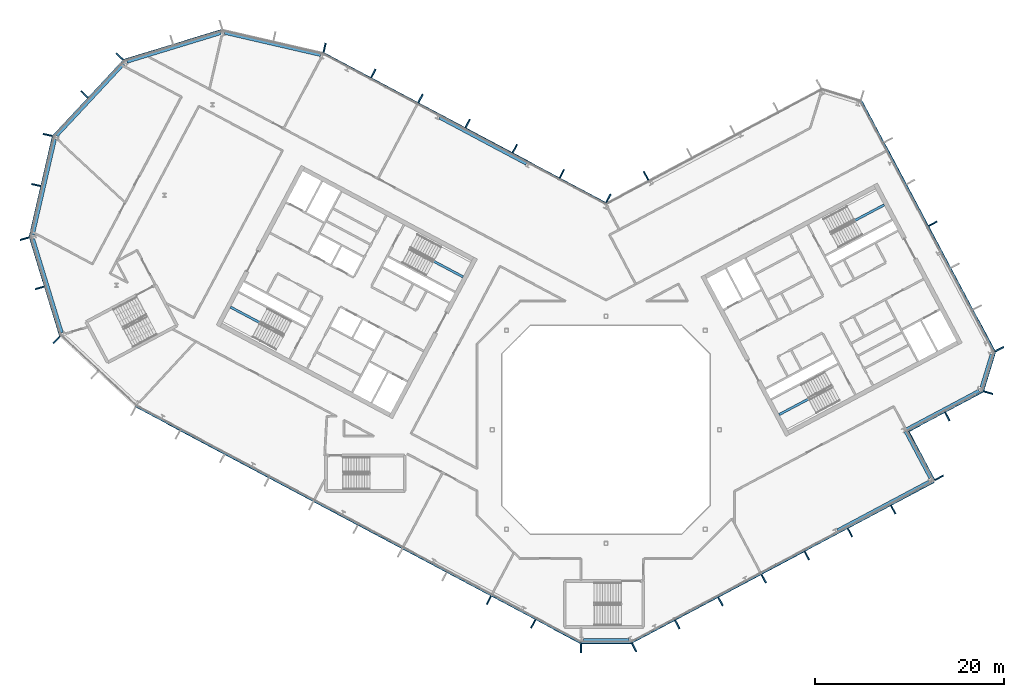
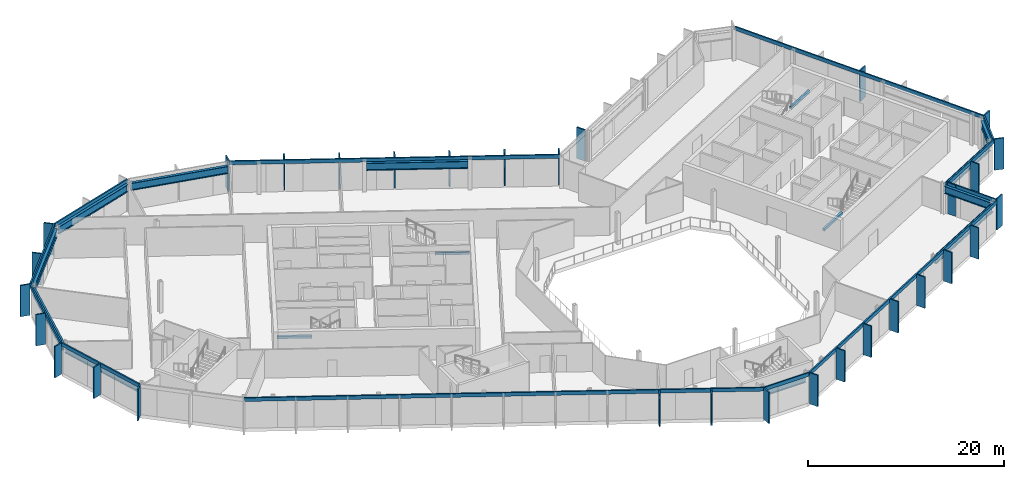
# One storey, part 9 of 26: 43 members, 15 beams, 15 elements without a shape of their own.
"""IFC4 building model written with IfcOpenShell, lengths in metres."""

from ifc_helpers import new_model, si_unit, direction, frame, origin, origin_2d, place, context, subcontext, project, spatial, rectangle, i_section, extrude, material, layer, layer_set, material_profile, profile_set, type_object, element, aggregate, save


model = new_model("IFC4")

# Units and contexts
model_context = context("Model", 3, precision=1e-05, world=origin(), true_north=direction((0.0, 1.0)))
body_context = subcontext(model_context, "Body", "Model", "MODEL_VIEW")
ifc_project = project(units=[si_unit("LENGTHUNIT", "METRE"), si_unit("AREAUNIT", "SQUARE_METRE"), si_unit("VOLUMEUNIT", "CUBIC_METRE"), si_unit("PLANEANGLEUNIT", "RADIAN"), si_unit("MASSUNIT", "GRAM", prefix="KILO")], contexts=[model_context])

# Site, building, storey
site_placement = place(None, origin())
site = spatial("IfcSite", under=ifc_project, at=site_placement, CompositionType="ELEMENT")
building_placement = place(site_placement, origin())
building = spatial("IfcBuilding", under=site, at=building_placement, Name="Cormorant Relay Tower", CompositionType="ELEMENT")
storey_placement = place(building_placement, frame((0.0, 0.0, 320.39990234375)))
storey = spatial("IfcBuildingStorey", under=building, at=storey_placement, Name="L73", CompositionType="ELEMENT", Elevation=320.39990234375)

# Curtain wall, member
ifc_material_1 = material(Name="Aluminium 6063-T6 anodised bronze", Category="aluminium")
ifc_layer = layer(ifc_material_1, 0.199951171875)
ifc_layer_set = layer_set([ifc_layer], Name="CW1 unitised bronze curtain wall with vertical fins")
curtain_wall_type = type_object("IfcCurtainWallType", Name="CW1 unitised bronze curtain wall with vertical fins", PredefinedType="NOTDEFINED", material=ifc_layer_set)
curtain_wall_1_placement = place(storey_placement, origin())
curtain_wall_1 = element("IfcCurtainWall", 1, at=curtain_wall_1_placement, inside=storey, type_object=curtain_wall_type, Name="CW1 curtain wall 1", PredefinedType="NOTDEFINED")
ifc_material_2 = material(Name="Aluminium 6063-T6 anodised bronze", Category="aluminium")
ifc_material_profile_1 = material_profile(ifc_material_2, rectangle(XDim=0.14990234375, YDim=1.0, at=origin_2d()), Name="AL 150x1000")
ifc_profile_set_1 = profile_set([ifc_material_profile_1], Name="Aluminium 6063-T6 anodised bronze")
member_type_1 = type_object("IfcMemberType", Name="CW1 bronze fin mullion 150 x 1000", PredefinedType="MULLION", material=ifc_profile_set_1)
member_1_placement = place(storey_placement, frame((-2.648681640625, -23.07568359375, 0.0), z_axis=(0.0, 0.0, 1.0), x_axis=(1.0, 0.0, 0.0)))
member_1 = element("IfcMember", 2, at=member_1_placement, type_object=member_type_1, Name="CW1 fin 1.1", PredefinedType="MULLION", context=body_context, shape_type="SweptSolid", body=[
    extrude(rectangle(XDim=0.14990234375, YDim=1.0, at=origin_2d()), origin(), (0.0, 0.0, 1.0), 3.900146484375),
])

# Curtain wall, members
curtain_wall_2_placement = place(storey_placement, origin())
curtain_wall_2 = element("IfcCurtainWall", 3, at=curtain_wall_2_placement, inside=storey, type_object=curtain_wall_type, Name="CW1 curtain wall 2", PredefinedType="NOTDEFINED")
member_2_placement = place(storey_placement, frame((2.9775390625, -22.99365234375, 0.0), z_axis=(0.0, 0.0, 1.0), x_axis=(0.882947592859, 0.469471562786, 0.0)))
member_2 = element("IfcMember", 4, at=member_2_placement, type_object=member_type_1, Name="CW1 fin 2.1", PredefinedType="MULLION", context=body_context, shape_type="SweptSolid", body=[
    extrude(rectangle(XDim=0.14990234375, YDim=1.0, at=origin_2d()), origin(), (0.0, 0.0, 1.0), 3.900146484375),
])
member_3_placement = place(storey_placement, frame((7.539306640625, -20.568115234375, 0.0), z_axis=(0.0, 0.0, 1.0), x_axis=(0.882947592859, 0.469471562786, 0.0)))
member_3 = element("IfcMember", 5, at=member_3_placement, type_object=member_type_1, Name="CW1 fin 2.2", PredefinedType="MULLION", context=body_context, shape_type="SweptSolid", body=[
    extrude(rectangle(XDim=0.14990234375, YDim=1.0, at=origin_2d()), origin(), (0.0, 0.0, 1.0), 3.900146484375),
])
member_4_placement = place(storey_placement, frame((12.10107421875, -18.142578125, 0.0), z_axis=(0.0, 0.0, 1.0), x_axis=(0.882947592859, 0.469471562786, 0.0)))
member_4 = element("IfcMember", 6, at=member_4_placement, type_object=member_type_1, Name="CW1 fin 2.3", PredefinedType="MULLION", context=body_context, shape_type="SweptSolid", body=[
    extrude(rectangle(XDim=0.14990234375, YDim=1.0, at=origin_2d()), origin(), (0.0, 0.0, 1.0), 3.900146484375),
])
member_5_placement = place(storey_placement, frame((16.662841796875, -15.717041015625, 0.0), z_axis=(0.0, 0.0, 1.0), x_axis=(0.882947592859, 0.469471562786, 0.0)))
member_5 = element("IfcMember", 7, at=member_5_placement, type_object=member_type_1, Name="CW1 fin 2.4", PredefinedType="MULLION", context=body_context, shape_type="SweptSolid", body=[
    extrude(rectangle(XDim=0.14990234375, YDim=1.0, at=origin_2d()), origin(), (0.0, 0.0, 1.0), 3.900146484375),
])
member_6_placement = place(storey_placement, frame((21.224609375, -13.29150390625, 0.0), z_axis=(0.0, 0.0, 1.0), x_axis=(0.882947592859, 0.469471562786, 0.0)))
member_6 = element("IfcMember", 8, at=member_6_placement, type_object=member_type_1, Name="CW1 fin 2.5", PredefinedType="MULLION", context=body_context, shape_type="SweptSolid", body=[
    extrude(rectangle(XDim=0.14990234375, YDim=1.0, at=origin_2d()), origin(), (0.0, 0.0, 1.0), 3.900146484375),
])
member_7_placement = place(storey_placement, frame((25.78662109375, -10.865966796875, 0.0), z_axis=(0.0, 0.0, 1.0), x_axis=(0.882947592859, 0.469471562786, 0.0)))
member_7 = element("IfcMember", 9, at=member_7_placement, type_object=member_type_1, Name="CW1 fin 2.6", PredefinedType="MULLION", context=body_context, shape_type="SweptSolid", body=[
    extrude(rectangle(XDim=0.14990234375, YDim=1.0, at=origin_2d()), origin(), (0.0, 0.0, 1.0), 3.900146484375),
])
member_8_placement = place(storey_placement, frame((30.348388671875, -8.440185546875, 0.0), z_axis=(0.0, 0.0, 1.0), x_axis=(0.882947592859, 0.469471562786, 0.0)))
member_8 = element("IfcMember", 10, at=member_8_placement, type_object=member_type_1, Name="CW1 fin 2.7", PredefinedType="MULLION", context=body_context, shape_type="SweptSolid", body=[
    extrude(rectangle(XDim=0.14990234375, YDim=1.0, at=origin_2d()), origin(), (0.0, 0.0, 1.0), 3.900146484375),
])

# Curtain wall, member
curtain_wall_3_placement = place(storey_placement, origin())
curtain_wall_3 = element("IfcCurtainWall", 11, at=curtain_wall_3_placement, inside=storey, type_object=curtain_wall_type, Name="CW1 curtain wall 3", PredefinedType="NOTDEFINED")
member_9_placement = place(storey_placement, frame((35.199462890625, -5.068115234375, 0.0), z_axis=(0.0, 0.0, 1.0), x_axis=(-0.469471562786, 0.882947592859, 0.0)))
member_9 = element("IfcMember", 12, at=member_9_placement, type_object=member_type_1, Name="CW1 fin 3.1", PredefinedType="MULLION", context=body_context, shape_type="SweptSolid", body=[
    extrude(rectangle(XDim=0.14990234375, YDim=1.0, at=origin_2d()), origin(), (0.0, 0.0, 1.0), 3.900146484375),
])

# Curtain wall, members
curtain_wall_4_placement = place(storey_placement, origin())
curtain_wall_4 = element("IfcCurtainWall", 13, at=curtain_wall_4_placement, inside=storey, type_object=curtain_wall_type, Name="CW1 curtain wall 4", PredefinedType="NOTDEFINED")
member_10_placement = place(storey_placement, frame((32.159423828125, -0.681884765625, 0.0), z_axis=(0.0, 0.0, 1.0), x_axis=(0.882947592859, 0.469471562786, 0.0)))
member_10 = element("IfcMember", 14, at=member_10_placement, type_object=member_type_1, Name="CW1 fin 4.1", PredefinedType="MULLION", context=body_context, shape_type="SweptSolid", body=[
    extrude(rectangle(XDim=0.14990234375, YDim=1.0, at=origin_2d()), origin(), (0.0, 0.0, 1.0), 3.900146484375),
])
member_11_placement = place(storey_placement, frame((36.06640625, 1.3955078125, 0.0), z_axis=(0.0, 0.0, 1.0), x_axis=(0.882947592859, 0.469471562786, 0.0)))
member_11 = element("IfcMember", 15, at=member_11_placement, type_object=member_type_1, Name="CW1 fin 4.2", PredefinedType="MULLION", context=body_context, shape_type="SweptSolid", body=[
    extrude(rectangle(XDim=0.14990234375, YDim=1.0, at=origin_2d()), origin(), (0.0, 0.0, 1.0), 3.900146484375),
])

# Curtain wall, member
curtain_wall_5_placement = place(storey_placement, origin())
curtain_wall_5 = element("IfcCurtainWall", 16, at=curtain_wall_5_placement, inside=storey, type_object=curtain_wall_type, Name="CW1 curtain wall 5", PredefinedType="NOTDEFINED")
member_12_placement = place(storey_placement, frame((40.380615234375, 3.921630859375, 0.0), z_axis=(0.0, 0.0, 1.0), x_axis=(0.292371704723, 0.956304755963, 0.0)))
member_12 = element("IfcMember", 17, at=member_12_placement, type_object=member_type_1, Name="CW1 fin 5.1", PredefinedType="MULLION", context=body_context, shape_type="SweptSolid", body=[
    extrude(rectangle(XDim=0.14990234375, YDim=1.0, at=origin_2d()), origin(), (0.0, 0.0, 1.0), 3.900146484375),
])

# Curtain wall, members
curtain_wall_6_placement = place(storey_placement, origin())
curtain_wall_6 = element("IfcCurtainWall", 18, at=curtain_wall_6_placement, inside=storey, type_object=curtain_wall_type, Name="CW1 curtain wall 6", PredefinedType="NOTDEFINED")
member_13_placement = place(storey_placement, frame((41.569580078125, 8.51220703125, 0.0), z_axis=(0.0, 0.0, 1.0), x_axis=(-0.469471562786, 0.882947592859, 0.0)))
member_13 = element("IfcMember", 19, at=member_13_placement, type_object=member_type_1, Name="CW1 fin 6.1", PredefinedType="MULLION", context=body_context, shape_type="SweptSolid", body=[
    extrude(rectangle(XDim=0.14990234375, YDim=1.0, at=origin_2d()), origin(), (0.0, 0.0, 1.0), 3.900146484375),
])
member_14_placement = place(storey_placement, frame((34.527587890625, 21.75634765625, 0.0), z_axis=(0.0, 0.0, 1.0), x_axis=(-0.469471562786, 0.882947592859, 0.0)))
member_14 = element("IfcMember", 20, at=member_14_placement, type_object=member_type_1, Name="CW1 fin 6.4", PredefinedType="MULLION", context=body_context, shape_type="SweptSolid", body=[
    extrude(rectangle(XDim=0.14990234375, YDim=1.0, at=origin_2d()), origin(), (0.0, 0.0, 1.0), 3.900146484375),
])

# Curtain wall, member
curtain_wall_7_placement = place(storey_placement, origin())
curtain_wall_7 = element("IfcCurtainWall", 21, at=curtain_wall_7_placement, inside=storey, type_object=curtain_wall_type, Name="CW1 curtain wall 8", PredefinedType="NOTDEFINED")
member_15_placement = place(storey_placement, frame((4.2333984375, 26.82763671875, 0.0), z_axis=(0.0, 0.0, 1.0), x_axis=(-0.882947592859, -0.469471562786, 0.0)))
member_15 = element("IfcMember", 22, at=member_15_placement, type_object=member_type_1, Name="CW1 fin 8.5", PredefinedType="MULLION", context=body_context, shape_type="SweptSolid", body=[
    extrude(rectangle(XDim=0.14990234375, YDim=1.0, at=origin_2d()), origin(), (0.0, 0.0, 1.0), 3.900146484375),
])
aggregate(curtain_wall_7, [member_15])

# Curtain wall, members
curtain_wall_8_placement = place(storey_placement, origin())
curtain_wall_8 = element("IfcCurtainWall", 23, at=curtain_wall_8_placement, inside=storey, type_object=curtain_wall_type, Name="CW1 curtain wall 9", PredefinedType="NOTDEFINED")
member_16_placement = place(storey_placement, frame((0.262451171875, 24.437255859375, 0.0), z_axis=(0.0, 0.0, 1.0), x_axis=(-0.882947592859, 0.469471562786, 0.0)))
member_16 = element("IfcMember", 24, at=member_16_placement, type_object=member_type_1, Name="CW1 fin 9.1", PredefinedType="MULLION", context=body_context, shape_type="SweptSolid", body=[
    extrude(rectangle(XDim=0.14990234375, YDim=1.0, at=origin_2d()), origin(), (0.0, 0.0, 1.0), 3.900146484375),
])
member_17_placement = place(storey_placement, frame((-4.650390625, 27.04931640625, 0.0), z_axis=(0.0, 0.0, 1.0), x_axis=(-0.882947592859, 0.469471562786, 0.0)))
member_17 = element("IfcMember", 25, at=member_17_placement, type_object=member_type_1, Name="CW1 fin 9.2", PredefinedType="MULLION", context=body_context, shape_type="SweptSolid", body=[
    extrude(rectangle(XDim=0.14990234375, YDim=1.0, at=origin_2d()), origin(), (0.0, 0.0, 1.0), 3.900146484375),
])
member_18_placement = place(storey_placement, frame((-9.62939453125, 29.69677734375, 0.0), z_axis=(0.0, 0.0, 1.0), x_axis=(-0.882947592859, 0.469471562786, 0.0)))
member_18 = element("IfcMember", 26, at=member_18_placement, type_object=member_type_1, Name="CW1 fin 9.3", PredefinedType="MULLION", context=body_context, shape_type="SweptSolid", body=[
    extrude(rectangle(XDim=0.14990234375, YDim=1.0, at=origin_2d()), origin(), (0.0, 0.0, 1.0), 3.900146484375),
])
member_19_placement = place(storey_placement, frame((-14.608154296875, 32.343994140625, 0.0), z_axis=(0.0, 0.0, 1.0), x_axis=(-0.882947592859, 0.469471562786, 0.0)))
member_19 = element("IfcMember", 27, at=member_19_placement, type_object=member_type_1, Name="CW1 fin 9.4", PredefinedType="MULLION", context=body_context, shape_type="SweptSolid", body=[
    extrude(rectangle(XDim=0.14990234375, YDim=1.0, at=origin_2d()), origin(), (0.0, 0.0, 1.0), 3.900146484375),
])
member_20_placement = place(storey_placement, frame((-19.587158203125, 34.991455078125, 0.0), z_axis=(0.0, 0.0, 1.0), x_axis=(-0.882947592859, 0.469471562786, 0.0)))
member_20 = element("IfcMember", 28, at=member_20_placement, type_object=member_type_1, Name="CW1 fin 9.5", PredefinedType="MULLION", context=body_context, shape_type="SweptSolid", body=[
    extrude(rectangle(XDim=0.14990234375, YDim=1.0, at=origin_2d()), origin(), (0.0, 0.0, 1.0), 3.900146484375),
])
member_21_placement = place(storey_placement, frame((-24.566162109375, 37.638916015625, 0.0), z_axis=(0.0, 0.0, 1.0), x_axis=(-0.882947592859, 0.469471562786, 0.0)))
member_21 = element("IfcMember", 29, at=member_21_placement, type_object=member_type_1, Name="CW1 fin 9.6", PredefinedType="MULLION", context=body_context, shape_type="SweptSolid", body=[
    extrude(rectangle(XDim=0.14990234375, YDim=1.0, at=origin_2d()), origin(), (0.0, 0.0, 1.0), 3.900146484375),
])

# Curtain wall, member
curtain_wall_9_placement = place(storey_placement, origin())
curtain_wall_9 = element("IfcCurtainWall", 30, at=curtain_wall_9_placement, inside=storey, type_object=curtain_wall_type, Name="CW1 curtain wall 10", PredefinedType="NOTDEFINED")
member_22_placement = place(storey_placement, frame((-29.71630859375, 40.35009765625, 0.0), z_axis=(0.0, 0.0, 1.0), x_axis=(-0.974370064785, 0.224951054344, 0.0)))
member_22 = element("IfcMember", 31, at=member_22_placement, type_object=member_type_1, Name="CW1 fin 10.1", PredefinedType="MULLION", context=body_context, shape_type="SweptSolid", body=[
    extrude(rectangle(XDim=0.14990234375, YDim=1.0, at=origin_2d()), origin(), (0.0, 0.0, 1.0), 3.900146484375),
])
aggregate(curtain_wall_9, [member_22])

# Curtain wall, members
curtain_wall_10_placement = place(storey_placement, origin())
curtain_wall_10 = element("IfcCurtainWall", 32, at=curtain_wall_10_placement, inside=storey, type_object=curtain_wall_type, Name="CW1 curtain wall 12", PredefinedType="NOTDEFINED")
member_23_placement = place(storey_placement, frame((-51.372802734375, 39.41259765625, 0.0), z_axis=(0.0, 0.0, 1.0), x_axis=(-0.681998360062, -0.731353701619, 0.0)))
member_23 = element("IfcMember", 33, at=member_23_placement, type_object=member_type_1, Name="CW1 fin 12.1", PredefinedType="MULLION", context=body_context, shape_type="SweptSolid", body=[
    extrude(rectangle(XDim=0.14990234375, YDim=1.0, at=origin_2d()), origin(), (0.0, 0.0, 1.0), 3.900146484375),
])
member_24_placement = place(storey_placement, frame((-55.07958984375, 35.4375, 0.0), z_axis=(0.0, 0.0, 1.0), x_axis=(-0.681998360062, -0.731353701619, 0.0)))
member_24 = element("IfcMember", 34, at=member_24_placement, type_object=member_type_1, Name="CW1 fin 12.2", PredefinedType="MULLION", context=body_context, shape_type="SweptSolid", body=[
    extrude(rectangle(XDim=0.14990234375, YDim=1.0, at=origin_2d()), origin(), (0.0, 0.0, 1.0), 3.900146484375),
])

curtain_wall_11_placement = place(storey_placement, origin())
curtain_wall_11 = element("IfcCurtainWall", 35, at=curtain_wall_11_placement, inside=storey, type_object=curtain_wall_type, Name="CW1 curtain wall 13", PredefinedType="NOTDEFINED")
member_25_placement = place(storey_placement, frame((-58.95654296875, 31.142578125, 0.0), z_axis=(0.0, 0.0, 1.0), x_axis=(-0.224951054344, -0.974370064785, 0.0)))
member_25 = element("IfcMember", 36, at=member_25_placement, type_object=member_type_1, Name="CW1 fin 13.1", PredefinedType="MULLION", context=body_context, shape_type="SweptSolid", body=[
    extrude(rectangle(XDim=0.14990234375, YDim=1.0, at=origin_2d()), origin(), (0.0, 0.0, 1.0), 3.900146484375),
])
member_26_placement = place(storey_placement, frame((-60.17919921875, 25.8466796875, 0.0), z_axis=(0.0, 0.0, 1.0), x_axis=(-0.224951054344, -0.974370064785, 0.0)))
member_26 = element("IfcMember", 37, at=member_26_placement, type_object=member_type_1, Name="CW1 fin 13.2", PredefinedType="MULLION", context=body_context, shape_type="SweptSolid", body=[
    extrude(rectangle(XDim=0.14990234375, YDim=1.0, at=origin_2d()), origin(), (0.0, 0.0, 1.0), 3.900146484375),
])

curtain_wall_12_placement = place(storey_placement, origin())
curtain_wall_12 = element("IfcCurtainWall", 38, at=curtain_wall_12_placement, inside=storey, type_object=curtain_wall_type, Name="CW1 curtain wall 14", PredefinedType="NOTDEFINED")
member_27_placement = place(storey_placement, frame((-61.389404296875, 20.188720703125, 0.0), z_axis=(0.0, 0.0, 1.0), x_axis=(0.292371704723, -0.956304755963, 0.0)))
member_27 = element("IfcMember", 39, at=member_27_placement, type_object=member_type_1, Name="CW1 fin 14.1", PredefinedType="MULLION", context=body_context, shape_type="SweptSolid", body=[
    extrude(rectangle(XDim=0.14990234375, YDim=1.0, at=origin_2d()), origin(), (0.0, 0.0, 1.0), 3.900146484375),
])
member_28_placement = place(storey_placement, frame((-59.80029296875, 14.990966796875, 0.0), z_axis=(0.0, 0.0, 1.0), x_axis=(0.292371704723, -0.956304755963, 0.0)))
member_28 = element("IfcMember", 40, at=member_28_placement, type_object=member_type_1, Name="CW1 fin 14.2", PredefinedType="MULLION", context=body_context, shape_type="SweptSolid", body=[
    extrude(rectangle(XDim=0.14990234375, YDim=1.0, at=origin_2d()), origin(), (0.0, 0.0, 1.0), 3.900146484375),
])

# Curtain wall, member
curtain_wall_13_placement = place(storey_placement, origin())
curtain_wall_13 = element("IfcCurtainWall", 41, at=curtain_wall_13_placement, inside=storey, type_object=curtain_wall_type, Name="CW1 curtain wall 15", PredefinedType="NOTDEFINED")
member_29_placement = place(storey_placement, frame((-58.01904296875, 9.486083984375, 0.0), z_axis=(0.0, 0.0, 1.0), x_axis=(0.731353701619, -0.681998360062, 0.0)))
member_29 = element("IfcMember", 42, at=member_29_placement, type_object=member_type_1, Name="CW1 fin 15.1", PredefinedType="MULLION", context=body_context, shape_type="SweptSolid", body=[
    extrude(rectangle(XDim=0.14990234375, YDim=1.0, at=origin_2d()), origin(), (0.0, 0.0, 1.0), 3.900146484375),
])
aggregate(curtain_wall_13, [member_29])

# Curtain wall, members
curtain_wall_14_placement = place(storey_placement, origin())
curtain_wall_14 = element("IfcCurtainWall", 43, at=curtain_wall_14_placement, inside=storey, type_object=curtain_wall_type, Name="CW1 curtain wall 16", PredefinedType="NOTDEFINED")
member_30_placement = place(storey_placement, frame((-12.365966796875, -18.001708984375, 0.0), z_axis=(0.0, 0.0, 1.0), x_axis=(0.882947592859, -0.469471562786, 0.0)))
member_30 = element("IfcMember", 44, at=member_30_placement, type_object=member_type_1, Name="CW1 fin 16.9", PredefinedType="MULLION", context=body_context, shape_type="SweptSolid", body=[
    extrude(rectangle(XDim=0.14990234375, YDim=1.0, at=origin_2d()), origin(), (0.0, 0.0, 1.0), 3.900146484375),
])
member_31_placement = place(storey_placement, frame((-7.671630859375, -20.49755859375, 0.0), z_axis=(0.0, 0.0, 1.0), x_axis=(0.882947592859, -0.469471562786, 0.0)))
member_31 = element("IfcMember", 45, at=member_31_placement, type_object=member_type_1, Name="CW1 fin 16.10", PredefinedType="MULLION", context=body_context, shape_type="SweptSolid", body=[
    extrude(rectangle(XDim=0.14990234375, YDim=1.0, at=origin_2d()), origin(), (0.0, 0.0, 1.0), 3.900146484375),
])

# Member
ifc_material_3 = material(Name="Aluminium 6063-T6 anodised bronze", Category="aluminium")
ifc_material_profile_2 = material_profile(ifc_material_3, rectangle(XDim=0.159912109375, YDim=0.449951171875, at=origin_2d()), Name="AL 160x450")
ifc_profile_set_2 = profile_set([ifc_material_profile_2], Name="Aluminium 6063-T6 anodised bronze")
member_type_2 = type_object("IfcMemberType", Name="CW1 bronze transom 160 x 450", PredefinedType="USERDEFINED", material=ifc_profile_set_2)
member_32_placement = place(storey_placement, frame((-2.648681640625, -22.49560546875, 3.675048828125), z_axis=(1.0, 0.0, 0.0), x_axis=(0.0, 1.0, 0.0)))
member_32 = element("IfcMember", 46, at=member_32_placement, type_object=member_type_2, Name="CW1 transom 1", ObjectType="TRANSOM", PredefinedType="USERDEFINED", context=body_context, shape_type="SweptSolid", body=[
    extrude(rectangle(XDim=0.159912109375, YDim=0.449951171875, at=origin_2d()), origin(), (0.0, 0.0, 1.0), 5.29736328125),
])

aggregate(curtain_wall_1, [member_1, member_32])

member_33_placement = place(storey_placement, frame((2.705078125, -22.4814453125, 3.675048828125), z_axis=(0.882948899141, 0.469469106018, 0.0), x_axis=(-0.469469106018, 0.882948899141, 0.0)))
member_33 = element("IfcMember", 47, at=member_33_placement, type_object=member_type_2, Name="CW1 transom 2", ObjectType="TRANSOM", PredefinedType="USERDEFINED", context=body_context, shape_type="SweptSolid", body=[
    extrude(rectangle(XDim=0.159912109375, YDim=0.449951171875, at=origin_2d()), origin(), (0.0, 0.0, 1.0), 36.165771484375),
])

aggregate(curtain_wall_2, [member_2, member_3, member_4, member_5, member_6, member_7, member_8, member_33])

member_34_placement = place(storey_placement, frame((34.6875, -5.34033203125, 3.675048828125), z_axis=(-0.469485426614, 0.882940221191, 0.0), x_axis=(-0.882940221191, -0.469485426614, 0.0)))
member_34 = element("IfcMember", 48, at=member_34_placement, type_object=member_type_2, Name="CW1 transom 3", ObjectType="TRANSOM", PredefinedType="USERDEFINED", context=body_context, shape_type="SweptSolid", body=[
    extrude(rectangle(XDim=0.159912109375, YDim=0.449951171875, at=origin_2d()), origin(), (0.0, 0.0, 1.0), 6.0),
])

aggregate(curtain_wall_3, [member_9, member_34])

member_35_placement = place(storey_placement, frame((31.82080078125, -0.205078125, 3.675048828125), z_axis=(0.882949189538, 0.469468559857, 0.0), x_axis=(-0.469468559857, 0.882949189538, 0.0)))
member_35 = element("IfcMember", 49, at=member_35_placement, type_object=member_type_2, Name="CW1 transom 4", ObjectType="TRANSOM", PredefinedType="USERDEFINED", context=body_context, shape_type="SweptSolid", body=[
    extrude(rectangle(XDim=0.159912109375, YDim=0.449951171875, at=origin_2d()), origin(), (0.0, 0.0, 1.0), 9.000244140625),
])

aggregate(curtain_wall_4, [member_10, member_11, member_35])

member_36_placement = place(storey_placement, frame((39.825927734375, 4.091064453125, 3.675048828125), z_axis=(0.292374957137, 0.956303761594, 0.0), x_axis=(-0.956303761594, 0.292374957137, 0.0)))
member_36 = element("IfcMember", 50, at=member_36_placement, type_object=member_type_2, Name="CW1 transom 5", ObjectType="TRANSOM", PredefinedType="USERDEFINED", context=body_context, shape_type="SweptSolid", body=[
    extrude(rectangle(XDim=0.159912109375, YDim=0.449951171875, at=origin_2d()), origin(), (0.0, 0.0, 1.0), 4.24267578125),
])

aggregate(curtain_wall_5, [member_12, member_36])

member_37_placement = place(storey_placement, frame((41.0576171875, 8.23974609375, 3.675048828125), z_axis=(-0.469472335483, 0.882947182008, 0.0), x_axis=(-0.882947182008, -0.469472335483, 0.0)))
member_37 = element("IfcMember", 51, at=member_37_placement, type_object=member_type_2, Name="CW1 transom 6", ObjectType="TRANSOM", PredefinedType="USERDEFINED", context=body_context, shape_type="SweptSolid", body=[
    extrude(rectangle(XDim=0.159912109375, YDim=0.449951171875, at=origin_2d()), origin(), (0.0, 0.0, 1.0), 30.000244140625),
])

aggregate(curtain_wall_6, [member_13, member_14, member_37])

member_38_placement = place(storey_placement, frame((0.056396484375, 23.889892578125, 3.675048828125), z_axis=(-0.882946280328, 0.46947403129, 0.0), x_axis=(-0.46947403129, -0.882946280328, 0.0)))
member_38 = element("IfcMember", 52, at=member_38_placement, type_object=member_type_2, Name="CW1 transom 9", ObjectType="TRANSOM", PredefinedType="USERDEFINED", context=body_context, shape_type="SweptSolid", body=[
    extrude(rectangle(XDim=0.159912109375, YDim=0.449951171875, at=origin_2d()), origin(), (0.0, 0.0, 1.0), 33.834228515625),
])

aggregate(curtain_wall_8, [member_16, member_17, member_18, member_19, member_20, member_21, member_38])

# Curtain wall, member
curtain_wall_15_placement = place(storey_placement, origin())
curtain_wall_15 = element("IfcCurtainWall", 53, at=curtain_wall_15_placement, inside=storey, type_object=curtain_wall_type, Name="CW1 curtain wall 11", PredefinedType="NOTDEFINED")
member_39_placement = place(storey_placement, frame((-40.50048828125, 42.228271484375, 3.675048828125), z_axis=(-0.956304833932, -0.292371449698, 0.0), x_axis=(0.292371449698, -0.956304833932, 0.0)))
member_39 = element("IfcMember", 54, at=member_39_placement, type_object=member_type_2, Name="CW1 transom 11", ObjectType="TRANSOM", PredefinedType="USERDEFINED", context=body_context, shape_type="SweptSolid", body=[
    extrude(rectangle(XDim=0.159912109375, YDim=0.449951171875, at=origin_2d()), origin(), (0.0, 0.0, 1.0), 10.87060546875),
])
aggregate(curtain_wall_15, [member_39])

# Member
member_40_placement = place(storey_placement, frame((-50.94873046875, 39.01708984375, 3.675048828125), z_axis=(-0.681993299437, -0.731358420696, 0.0), x_axis=(0.731358420696, -0.681993299437, 0.0)))
member_40 = element("IfcMember", 55, at=member_40_placement, type_object=member_type_2, Name="CW1 transom 12", ObjectType="TRANSOM", PredefinedType="USERDEFINED", context=body_context, shape_type="SweptSolid", body=[
    extrude(rectangle(XDim=0.159912109375, YDim=0.449951171875, at=origin_2d()), origin(), (0.0, 0.0, 1.0), 10.870361328125),
])

aggregate(curtain_wall_10, [member_23, member_24, member_40])

member_41_placement = place(storey_placement, frame((-58.3916015625, 31.01220703125, 3.675048828125), z_axis=(-0.22495136131, -0.974369993916, 0.0), x_axis=(0.974369993916, -0.22495136131, 0.0)))
member_41 = element("IfcMember", 56, at=member_41_placement, type_object=member_type_2, Name="CW1 transom 13", ObjectType="TRANSOM", PredefinedType="USERDEFINED", context=body_context, shape_type="SweptSolid", body=[
    extrude(rectangle(XDim=0.159912109375, YDim=0.449951171875, at=origin_2d()), origin(), (0.0, 0.0, 1.0), 10.870361328125),
])

aggregate(curtain_wall_11, [member_25, member_26, member_41])

member_42_placement = place(storey_placement, frame((-60.834716796875, 20.358154296875, 3.675048828125), z_axis=(0.292377729282, -0.95630291405, 0.0), x_axis=(0.95630291405, 0.292377729282, 0.0)))
member_42 = element("IfcMember", 57, at=member_42_placement, type_object=member_type_2, Name="CW1 transom 14", ObjectType="TRANSOM", PredefinedType="USERDEFINED", context=body_context, shape_type="SweptSolid", body=[
    extrude(rectangle(XDim=0.159912109375, YDim=0.449951171875, at=origin_2d()), origin(), (0.0, 0.0, 1.0), 10.870361328125),
])

aggregate(curtain_wall_12, [member_27, member_28, member_42])

member_43_placement = place(storey_placement, frame((-49.64794921875, 2.478515625, 3.675048828125), z_axis=(0.882947642542, -0.469471469346, 0.0), x_axis=(0.469471469346, 0.882947642542, 0.0)))
member_43 = element("IfcMember", 58, at=member_43_placement, type_object=member_type_2, Name="CW1 transom 16", ObjectType="TRANSOM", PredefinedType="USERDEFINED", context=body_context, shape_type="SweptSolid", body=[
    extrude(rectangle(XDim=0.159912109375, YDim=0.449951171875, at=origin_2d()), origin(), (0.0, 0.0, 1.0), 53.166015625),
])

aggregate(curtain_wall_14, [member_30, member_31, member_43])

# Beams
ifc_material_4 = material(Name="Steel ASTM A992 (Fy 345 MPa)", Category="steel")
ifc_material_profile_3 = material_profile(ifc_material_4, i_section(OverallWidth=0.307373046875, OverallDepth=0.927001953125, WebThickness=0.019287109375, FlangeThickness=0.031982421875, FilletRadius=0.01904296875, at=origin_2d()), Name="W920x289")
ifc_profile_set_3 = profile_set([ifc_material_profile_3], Name="Steel ASTM A992 (Fy 345 MPa)")
beam_type_1 = type_object("IfcBeamType", Name="Spandrel W920x289", PredefinedType="SPANDREL", material=ifc_profile_set_3)
beam_1_placement = place(storey_placement, frame((-2.377197265625, -22.221923828125, 3.076416015625), z_axis=(1.0, 0.0, 0.0), x_axis=(0.0, 1.0, 0.0)))
element("IfcBeam", 59, at=beam_1_placement, inside=storey, type_object=beam_type_1, Name="Spandrel beam L73-001", PredefinedType="SPANDREL", context=body_context, shape_type="SweptSolid", body=[
    extrude(i_section(OverallWidth=0.307373046875, OverallDepth=0.927001953125, WebThickness=0.019287109375, FlangeThickness=0.031982421875, FilletRadius=0.01904296875, at=origin_2d()), origin(), (0.0, 0.0, 1.0), 4.79541015625),
])
beam_2_placement = place(storey_placement, frame((24.44287109375, -10.61328125, 3.076416015625), z_axis=(0.882957797597, 0.469452369961, 0.0), x_axis=(-0.469452369961, 0.882957797597, 0.0)))
element("IfcBeam", 60, at=beam_2_placement, inside=storey, type_object=beam_type_1, Name="Spandrel beam L73-002", PredefinedType="SPANDREL", context=body_context, shape_type="SweptSolid", body=[
    extrude(i_section(OverallWidth=0.307373046875, OverallDepth=0.927001953125, WebThickness=0.019287109375, FlangeThickness=0.031982421875, FilletRadius=0.01904296875, at=origin_2d()), origin(), (0.0, 0.0, 1.0), 10.992431640625),
])
beam_3_placement = place(storey_placement, frame((34.254638671875, -5.109619140625, 3.076416015625), z_axis=(-0.469457325339, 0.882955162897, 0.0), x_axis=(-0.882955162897, -0.469457325339, 0.0)))
element("IfcBeam", 61, at=beam_3_placement, inside=storey, type_object=beam_type_1, Name="Spandrel beam L73-003", PredefinedType="SPANDREL", context=body_context, shape_type="SweptSolid", body=[
    extrude(i_section(OverallWidth=0.307373046875, OverallDepth=0.927001953125, WebThickness=0.019287109375, FlangeThickness=0.031982421875, FilletRadius=0.01904296875, at=origin_2d()), origin(), (0.0, 0.0, 1.0), 5.593017578125),
])
beam_4_placement = place(storey_placement, frame((31.6923828125, 0.03662109375, 3.076416015625), z_axis=(0.882943393008, 0.469479461472, 0.0), x_axis=(-0.469479461472, 0.882943393008, 0.0)))
element("IfcBeam", 62, at=beam_4_placement, inside=storey, type_object=beam_type_1, Name="Spandrel beam L73-004", PredefinedType="SPANDREL", context=body_context, shape_type="SweptSolid", body=[
    extrude(i_section(OverallWidth=0.307373046875, OverallDepth=0.927001953125, WebThickness=0.019287109375, FlangeThickness=0.031982421875, FilletRadius=0.01904296875, at=origin_2d()), origin(), (0.0, 0.0, 1.0), 8.734375),
])
beam_5_placement = place(storey_placement, frame((39.6591796875, 4.4814453125, 3.076416015625), z_axis=(0.292323829151, 0.956319391684, 0.0), x_axis=(-0.956319391684, 0.292323829151, 0.0)))
element("IfcBeam", 63, at=beam_5_placement, inside=storey, type_object=beam_type_1, Name="Spandrel beam L73-005", PredefinedType="SPANDREL", context=body_context, shape_type="SweptSolid", body=[
    extrude(i_section(OverallWidth=0.307373046875, OverallDepth=0.927001953125, WebThickness=0.019287109375, FlangeThickness=0.031982421875, FilletRadius=0.01904296875, at=origin_2d()), origin(), (0.0, 0.0, 1.0), 3.652099609375),
])
beam_6_placement = place(storey_placement, frame((-8.401611328125, 28.0771484375, 3.076416015625), z_axis=(-0.882945471565, 0.469475552338, 0.0), x_axis=(-0.469475552338, -0.882945471565, 0.0)))
element("IfcBeam", 64, at=beam_6_placement, inside=storey, type_object=beam_type_1, Name="Spandrel beam L73-009", PredefinedType="SPANDREL", context=body_context, shape_type="SweptSolid", body=[
    extrude(i_section(OverallWidth=0.307373046875, OverallDepth=0.927001953125, WebThickness=0.019287109375, FlangeThickness=0.031982421875, FilletRadius=0.01904296875, at=origin_2d()), origin(), (0.0, 0.0, 1.0), 10.401123046875),
])
beam_7_placement = place(storey_placement, frame((-30.138427734375, 39.571533203125, 3.076416015625), z_axis=(-0.97437021882, 0.224950387145, 0.0), x_axis=(-0.224950387145, -0.97437021882, 0.0)))
element("IfcBeam", 65, at=beam_7_placement, inside=storey, type_object=beam_type_1, Name="Spandrel beam L73-010", PredefinedType="SPANDREL", context=body_context, shape_type="SweptSolid", body=[
    extrude(i_section(OverallWidth=0.307373046875, OverallDepth=0.927001953125, WebThickness=0.019287109375, FlangeThickness=0.031982421875, FilletRadius=0.01904296875, at=origin_2d()), origin(), (0.0, 0.0, 1.0), 10.3984375),
])
beam_8_placement = place(storey_placement, frame((-40.68505859375, 41.8857421875, 3.076416015625), z_axis=(-0.956304903575, -0.292371221906, 0.0), x_axis=(0.292371221906, -0.956304903575, 0.0)))
element("IfcBeam", 66, at=beam_8_placement, inside=storey, type_object=beam_type_1, Name="Spandrel beam L73-011", PredefinedType="SPANDREL", context=body_context, shape_type="SweptSolid", body=[
    extrude(i_section(OverallWidth=0.307373046875, OverallDepth=0.927001953125, WebThickness=0.019287109375, FlangeThickness=0.031982421875, FilletRadius=0.01904296875, at=origin_2d()), origin(), (0.0, 0.0, 1.0), 10.358642578125),
])
beam_9_placement = place(storey_placement, frame((-50.9375, 38.627685546875, 3.076416015625), z_axis=(-0.682009982741, -0.731342863124, 0.0), x_axis=(0.731342863124, -0.682009982741, 0.0)))
element("IfcBeam", 67, at=beam_9_placement, inside=storey, type_object=beam_type_1, Name="Spandrel beam L73-012", PredefinedType="SPANDREL", context=body_context, shape_type="SweptSolid", body=[
    extrude(i_section(OverallWidth=0.307373046875, OverallDepth=0.927001953125, WebThickness=0.019287109375, FlangeThickness=0.031982421875, FilletRadius=0.01904296875, at=origin_2d()), origin(), (0.0, 0.0, 1.0), 10.35791015625),
])
beam_10_placement = place(storey_placement, frame((-58.18701171875, 30.680908203125, 3.076416015625), z_axis=(-0.224955895786, -0.974368947038, 0.0), x_axis=(0.974368947038, -0.224955895786, 0.0)))
element("IfcBeam", 68, at=beam_10_placement, inside=storey, type_object=beam_type_1, Name="Spandrel beam L73-013", PredefinedType="SPANDREL", context=body_context, shape_type="SweptSolid", body=[
    extrude(i_section(OverallWidth=0.307373046875, OverallDepth=0.927001953125, WebThickness=0.019287109375, FlangeThickness=0.031982421875, FilletRadius=0.01904296875, at=origin_2d()), origin(), (0.0, 0.0, 1.0), 10.359130859375),
])
beam_11_placement = place(storey_placement, frame((-60.49169921875, 20.1728515625, 3.076416015625), z_axis=(0.292367651593, -0.95630599512, 0.0), x_axis=(0.95630599512, 0.292367651593, 0.0)))
element("IfcBeam", 69, at=beam_11_placement, inside=storey, type_object=beam_type_1, Name="Spandrel beam L73-014", PredefinedType="SPANDREL", context=body_context, shape_type="SweptSolid", body=[
    extrude(i_section(OverallWidth=0.307373046875, OverallDepth=0.927001953125, WebThickness=0.019287109375, FlangeThickness=0.031982421875, FilletRadius=0.01904296875, at=origin_2d()), origin(), (0.0, 0.0, 1.0), 10.357177734375),
])
ifc_material_5 = material(Name="Concrete 50 MPa", Category="concrete")
ifc_material_profile_4 = material_profile(ifc_material_5, rectangle(XDim=0.25, YDim=0.300048828125, at=origin_2d()), Name="RC 250x300")
ifc_profile_set_4 = profile_set([ifc_material_profile_4], Name="Concrete 50 MPa")
beam_type_2 = type_object("IfcBeamType", Name="Stair landing ledge beam 250x300", PredefinedType="BEAM", material=ifc_profile_set_4)
beam_12_placement = place(storey_placement, frame((-18.219482421875, 17.813720703125, 1.60009765625), z_axis=(0.882950035608, -0.469466968614, 0.0), x_axis=(0.469466968614, 0.882950035608, 0.0)))
element("IfcBeam", 70, at=beam_12_placement, inside=storey, type_object=beam_type_2, Name="A1 landing ledge beam", PredefinedType="BEAM", context=body_context, shape_type="SweptSolid", body=[
    extrude(rectangle(XDim=0.25, YDim=0.300048828125, at=origin_2d()), origin(), (0.0, 0.0, 1.0), 3.5498046875),
])
for number, where, z_axis, x_axis, name in (
    (71, (-36.523193359375, 11.29345703125, 1.60009765625), (-0.88293668587, 0.469492075273, 0.0), (-0.469492075273, -0.88293668587, 0.0), "A2 landing ledge beam"),
    (72, (21.4248046875, 3.265380859375, 1.60009765625), (-0.88296519247, -0.469438461235, 0.0), (0.469438461235, -0.88296519247, 0.0), "B1 landing ledge beam"),
    (73, (26.25439453125, 22.0859375, 1.60009765625), (0.88296519247, 0.469438461235, 0.0), (-0.469438461235, 0.88296519247, 0.0), "B2 landing ledge beam"),
):
    element("IfcBeam", number, at=place(storey_placement, frame(where, z_axis=z_axis, x_axis=x_axis)), inside=storey, type_object=beam_type_2, Name=name, PredefinedType="BEAM", context=body_context, shape_type="SweptSolid", body=[
        extrude(rectangle(XDim=0.25, YDim=0.300048828125, at=origin_2d()), origin(), (0.0, 0.0, 1.0), 3.550048828125),
    ])

save(model, "model.ifc")
